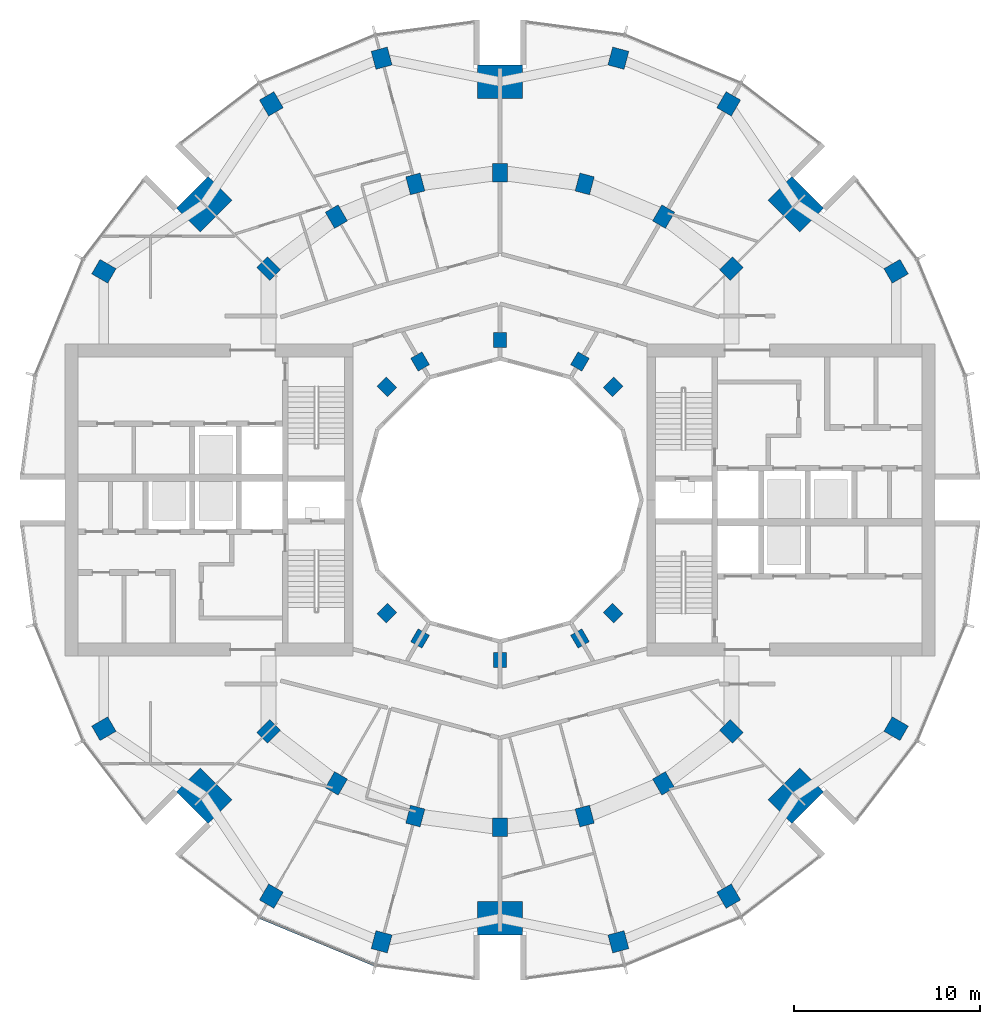
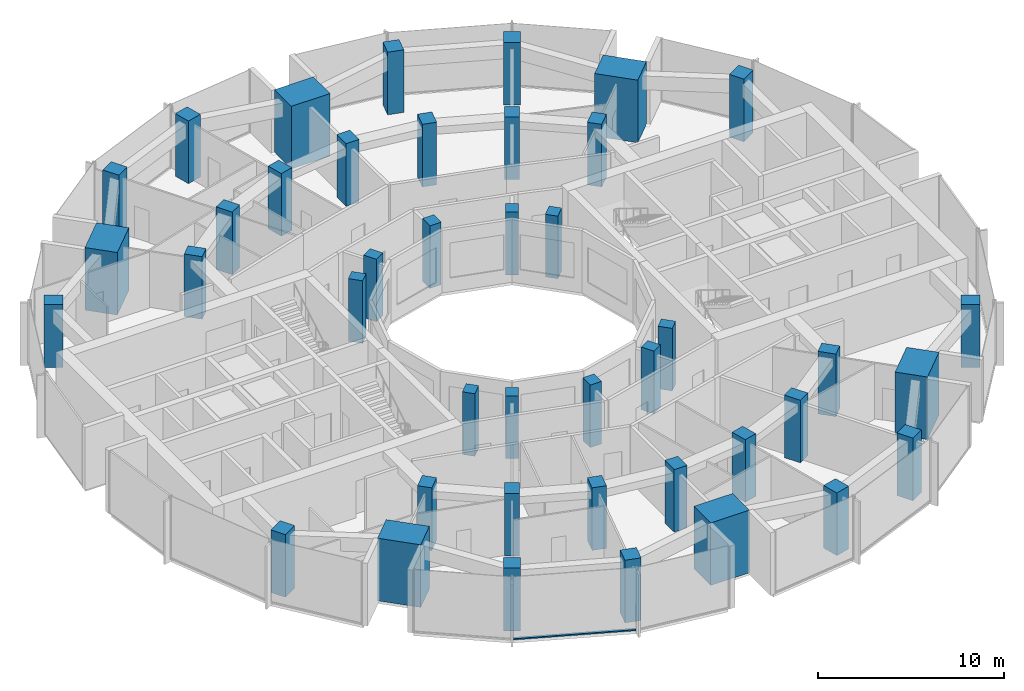
# One storey, part 1 of 15: 42 columns, 1 member, 1 element without a shape of its own.
"""IFC4 building model written with IfcOpenShell, lengths in metres."""

from ifc_helpers import new_model, si_unit, direction, frame, origin, origin_2d, place, context, subcontext, project, spatial, rectangle, extrude, material, layer, layer_set, material_profile, profile_set, type_object, element, aggregate, save


model = new_model("IFC4")

# Units and contexts
model_context = context("Model", 3, precision=1e-05, world=origin(), true_north=direction((0.0, 1.0)))
body_context = subcontext(model_context, "Body", "Model", "MODEL_VIEW")
ifc_project = project(units=[si_unit("LENGTHUNIT", "METRE"), si_unit("AREAUNIT", "SQUARE_METRE"), si_unit("VOLUMEUNIT", "CUBIC_METRE"), si_unit("PLANEANGLEUNIT", "RADIAN"), si_unit("MASSUNIT", "GRAM", prefix="KILO")], contexts=[model_context])

# Site, building, storey
site_placement = place(None, origin())
site = spatial("IfcSite", under=ifc_project, at=site_placement, CompositionType="ELEMENT")
building_placement = place(site_placement, origin())
building = spatial("IfcBuilding", under=site, at=building_placement, Name="Torre Brocal", CompositionType="ELEMENT")
storey_placement = place(building_placement, frame((0.0, 0.0, 157.699951171875)))
storey = spatial("IfcBuildingStorey", under=building, at=storey_placement, Name="L36", CompositionType="ELEMENT", Elevation=157.699951171875)

# Columns
ifc_material_1 = material(Name="Concrete C70", Category="concrete")
ifc_material_profile_1 = material_profile(ifc_material_1, rectangle(XDim=1.0, YDim=0.800048828125, at=origin_2d()), Name="RC 1000X800")
ifc_profile_set_1 = profile_set([ifc_material_profile_1], Name="Concrete C70")
column_type_1 = type_object("IfcColumnType", Name="RC COLUMN 1000X800 C70", PredefinedType="COLUMN", material=ifc_profile_set_1)
for number, where, z_axis, x_axis, name in (
    (1, (92.445068359375, 87.445068359375, 0.0), (0.0, 0.0, 1.0), (0.707106781187, 0.707106781187, 0.0), "Column C-M03"),
    (2, (88.800048828125, 90.241943359375, 0.0), (0.0, 0.0, 1.0), (0.5, 0.866025403784, 0.0), "Column C-M04"),
    (3, (84.55517578125, 92.000244140625, 0.0), (0.0, 0.0, 1.0), (0.258819045103, 0.965925826289, 0.0), "Column C-M05"),
    (4, (80.0, 92.60009765625, 0.0), (0.0, 0.0, 1.0), (0.0, 1.0, 0.0), "Column C-M06"),
    (5, (75.44482421875, 92.000244140625, 0.0), (0.0, 0.0, 1.0), (-0.258819045103, 0.965925826289, 0.0), "Column C-M07"),
    (6, (71.199951171875, 90.241943359375, 0.0), (0.0, 0.0, 1.0), (-0.5, 0.866025403784, 0.0), "Column C-M08"),
    (7, (67.554931640625, 87.445068359375, 0.0), (0.0, 0.0, 1.0), (-0.707106781187, 0.707106781187, 0.0), "Column C-M09"),
    (8, (67.554931640625, 62.554931640625, 0.0), (0.0, 0.0, 1.0), (-0.707106781187, -0.707106781187, 0.0), "Column C-M15"),
    (9, (71.199951171875, 59.758056640625, 0.0), (0.0, 0.0, 1.0), (-0.5, -0.866025403784, 0.0), "Column C-M16"),
    (10, (75.44482421875, 57.999755859375, 0.0), (0.0, 0.0, 1.0), (-0.258819045103, -0.965925826289, 0.0), "Column C-M17"),
    (11, (80.0, 57.39990234375, 0.0), (0.0, 0.0, 1.0), (0.0, -1.0, 0.0), "Column C-M18"),
    (12, (84.55517578125, 57.999755859375, 0.0), (0.0, 0.0, 1.0), (0.258819045103, -0.965925826289, 0.0), "Column C-M19"),
    (13, (88.800048828125, 59.758056640625, 0.0), (0.0, 0.0, 1.0), (0.5, -0.866025403784, 0.0), "Column C-M20"),
    (14, (92.445068359375, 62.554931640625, 0.0), (0.0, 0.0, 1.0), (0.707106781187, -0.707106781187, 0.0), "Column C-M21"),
):
    element("IfcColumn", number, at=place(storey_placement, frame(where, z_axis=z_axis, x_axis=x_axis)), inside=storey, type_object=column_type_1, Name=name, PredefinedType="COLUMN", context=body_context, shape_type="SweptSolid", body=[
        extrude(rectangle(XDim=1.0, YDim=0.800048828125, at=origin_2d()), origin(), (0.0, 0.0, 1.0), 4.10009765625),
    ])
ifc_material_2 = material(Name="Concrete C70", Category="concrete")
ifc_material_profile_2 = material_profile(ifc_material_2, rectangle(XDim=1.0, YDim=0.89990234375, at=origin_2d()), Name="RC 1000X900")
ifc_profile_set_2 = profile_set([ifc_material_profile_2], Name="Concrete C70")
column_type_2 = type_object("IfcColumnType", Name="RC COLUMN 1000X900 C70", PredefinedType="COLUMN", material=ifc_profile_set_2)
for number, where, z_axis, x_axis, name in (
    (15, (101.30419921875, 87.300048828125, 0.0), (0.0, 0.0, 1.0), (0.866025403784, 0.5, 0.0), "Column C-O02"),
    (16, (92.300048828125, 96.30419921875, 0.0), (0.0, 0.0, 1.0), (0.5, 0.866025403784, 0.0), "Column C-O04"),
    (17, (86.366943359375, 98.76171875, 0.0), (0.0, 0.0, 1.0), (0.258819045103, 0.965925826289, 0.0), "Column C-O05"),
    (18, (73.633056640625, 98.76171875, 0.0), (0.0, 0.0, 1.0), (-0.258819045103, 0.965925826289, 0.0), "Column C-O07"),
    (19, (67.699951171875, 96.30419921875, 0.0), (0.0, 0.0, 1.0), (-0.5, 0.866025403784, 0.0), "Column C-O08"),
    (20, (58.69580078125, 87.300048828125, 0.0), (0.0, 0.0, 1.0), (-0.866025403784, 0.5, 0.0), "Column C-O10"),
    (21, (58.69580078125, 62.699951171875, 0.0), (0.0, 0.0, 1.0), (-0.866025403784, -0.5, 0.0), "Column C-O14"),
    (22, (67.699951171875, 53.69580078125, 0.0), (0.0, 0.0, 1.0), (-0.5, -0.866025403784, 0.0), "Column C-O16"),
    (23, (73.633056640625, 51.23828125, 0.0), (0.0, 0.0, 1.0), (-0.258819045103, -0.965925826289, 0.0), "Column C-O17"),
    (24, (86.366943359375, 51.23828125, 0.0), (0.0, 0.0, 1.0), (0.258819045103, -0.965925826289, 0.0), "Column C-O19"),
    (25, (92.300048828125, 53.69580078125, 0.0), (0.0, 0.0, 1.0), (0.5, -0.866025403784, 0.0), "Column C-O20"),
    (26, (101.30419921875, 62.699951171875, 0.0), (0.0, 0.0, 1.0), (0.866025403784, -0.5, 0.0), "Column C-O22"),
):
    element("IfcColumn", number, at=place(storey_placement, frame(where, z_axis=z_axis, x_axis=x_axis)), inside=storey, type_object=column_type_2, Name=name, PredefinedType="COLUMN", context=body_context, shape_type="SweptSolid", body=[
        extrude(rectangle(XDim=1.0, YDim=0.89990234375, at=origin_2d()), origin(), (0.0, 0.0, 1.0), 4.10009765625),
    ])
ifc_material_3 = material(Name="Concrete C70", Category="concrete")
ifc_material_profile_3 = material_profile(ifc_material_3, rectangle(XDim=1.800048828125, YDim=2.39990234375, at=origin_2d()), Name="RC 1800X2400")
ifc_profile_set_3 = profile_set([ifc_material_profile_3], Name="Concrete C70")
column_type_3 = type_object("IfcColumnType", Name="RC COLUMN 1800X2400 C70", PredefinedType="COLUMN", material=ifc_profile_set_3)
for number, where, z_axis, x_axis, name in (
    (27, (95.909912109375, 90.909912109375, 0.0), (0.0, 0.0, 1.0), (0.707106781187, 0.707106781187, 0.0), "Column MC-1"),
    (28, (80.0, 97.5, 0.0), (0.0, 0.0, 1.0), (0.0, 1.0, 0.0), "Column MC-2"),
    (29, (64.090087890625, 90.909912109375, 0.0), (0.0, 0.0, 1.0), (-0.707106781187, 0.707106781187, 0.0), "Column MC-3"),
    (30, (64.090087890625, 59.090087890625, 0.0), (0.0, 0.0, 1.0), (-0.707106781187, -0.707106781187, 0.0), "Column MC-5"),
    (31, (80.0, 52.5, 0.0), (0.0, 0.0, 1.0), (0.0, -1.0, 0.0), "Column MC-6"),
    (32, (95.909912109375, 59.090087890625, 0.0), (0.0, 0.0, 1.0), (0.707106781187, -0.707106781187, 0.0), "Column MC-7"),
):
    element("IfcColumn", number, at=place(storey_placement, frame(where, z_axis=z_axis, x_axis=x_axis)), inside=storey, type_object=column_type_3, Name=name, PredefinedType="COLUMN", context=body_context, shape_type="SweptSolid", body=[
        extrude(rectangle(XDim=1.800048828125, YDim=2.39990234375, at=origin_2d()), origin(), (0.0, 0.0, 1.0), 4.10009765625),
    ])
ifc_material_4 = material(Name="Concrete C70", Category="concrete")
ifc_material_profile_4 = material_profile(ifc_material_4, rectangle(XDim=0.800048828125, YDim=0.699951171875, at=origin_2d()), Name="RC 800X700")
ifc_profile_set_4 = profile_set([ifc_material_profile_4], Name="Concrete C70")
column_type_4 = type_object("IfcColumnType", Name="RC COLUMN 800X700 C70", PredefinedType="COLUMN", material=ifc_profile_set_4)
for number, where, z_axis, x_axis, name in (
    (33, (86.0810546875, 81.0810546875, 0.0), (0.0, 0.0, 1.0), (0.707106781187, 0.707106781187, 0.0), "Column C-I03"),
    (34, (84.300048828125, 82.44775390625, 0.0), (0.0, 0.0, 1.0), (0.5, 0.866025403784, 0.0), "Column C-I04"),
    (35, (80.0, 83.60009765625, 0.0), (0.0, 0.0, 1.0), (0.0, 1.0, 0.0), "Column C-I06"),
    (36, (75.699951171875, 82.44775390625, 0.0), (0.0, 0.0, 1.0), (-0.5, 0.866025403784, 0.0), "Column C-I08"),
    (37, (73.9189453125, 81.0810546875, 0.0), (0.0, 0.0, 1.0), (-0.707106781187, 0.707106781187, 0.0), "Column C-I09"),
    (38, (73.9189453125, 68.9189453125, 0.0), (0.0, 0.0, 1.0), (-0.707106781187, -0.707106781187, 0.0), "Column C-I15"),
    (39, (75.699951171875, 67.55224609375, 0.0), (0.0, 0.0, 1.0), (-0.5, -0.866025403784, 0.0), "Column C-I16"),
    (40, (80.0, 66.39990234375, 0.0), (0.0, 0.0, 1.0), (0.0, -1.0, 0.0), "Column C-I18"),
    (41, (84.300048828125, 67.55224609375, 0.0), (0.0, 0.0, 1.0), (0.5, -0.866025403784, 0.0), "Column C-I20"),
    (42, (86.0810546875, 68.9189453125, 0.0), (0.0, 0.0, 1.0), (0.707106781187, -0.707106781187, 0.0), "Column C-I21"),
):
    element("IfcColumn", number, at=place(storey_placement, frame(where, z_axis=z_axis, x_axis=x_axis)), inside=storey, type_object=column_type_4, Name=name, PredefinedType="COLUMN", context=body_context, shape_type="SweptSolid", body=[
        extrude(rectangle(XDim=0.800048828125, YDim=0.699951171875, at=origin_2d()), origin(), (0.0, 0.0, 1.0), 4.10009765625),
    ])

# Curtain wall, member
ifc_material_5 = material(Name="Aluminium and glass", Category="aluminium")
ifc_layer = layer(ifc_material_5, 0.199951171875)
ifc_layer_set = layer_set([ifc_layer], Name="Aluminium and glass")
curtain_wall_type = type_object("IfcCurtainWallType", Name="CW-1 CURTAIN WALL 4100 HIGH", PredefinedType="NOTDEFINED", material=ifc_layer_set)
curtain_wall_placement = place(storey_placement, origin())
curtain_wall = element("IfcCurtainWall", 43, at=curtain_wall_placement, inside=storey, type_object=curtain_wall_type, Name="CW-1 RUN 17", PredefinedType="NOTDEFINED")
ifc_material_6 = material(Name="Aluminium, dark anodised", Category="aluminium")
ifc_material_profile_5 = material_profile(ifc_material_6, rectangle(XDim=0.159912109375, YDim=0.080078125, at=origin_2d()), Name="CW-1 TRANSOM 160X80")
ifc_profile_set_5 = profile_set([ifc_material_profile_5], Name="Aluminium, dark anodised")
member_type = type_object("IfcMemberType", Name="CW-1 TRANSOM 160X80", PredefinedType="USERDEFINED", material=ifc_profile_set_5)
member_placement = place(storey_placement, frame((67.10595703125, 52.547607421875, 0.0400390625), z_axis=(0.923887344364, -0.38266457234, 0.0), x_axis=(0.38266457234, 0.923887344364, 0.0)))
member = element("IfcMember", 44, at=member_placement, type_object=member_type, Name="CW1-4 transom 1.1", ObjectType="TRANSOM", PredefinedType="USERDEFINED", context=body_context, shape_type="SweptSolid", body=[
    extrude(rectangle(XDim=0.159912109375, YDim=0.080078125, at=origin_2d()), origin(), (0.0, 0.0, 1.0), 6.640869140625),
])
aggregate(curtain_wall, [member])

save(model, "model.ifc")
